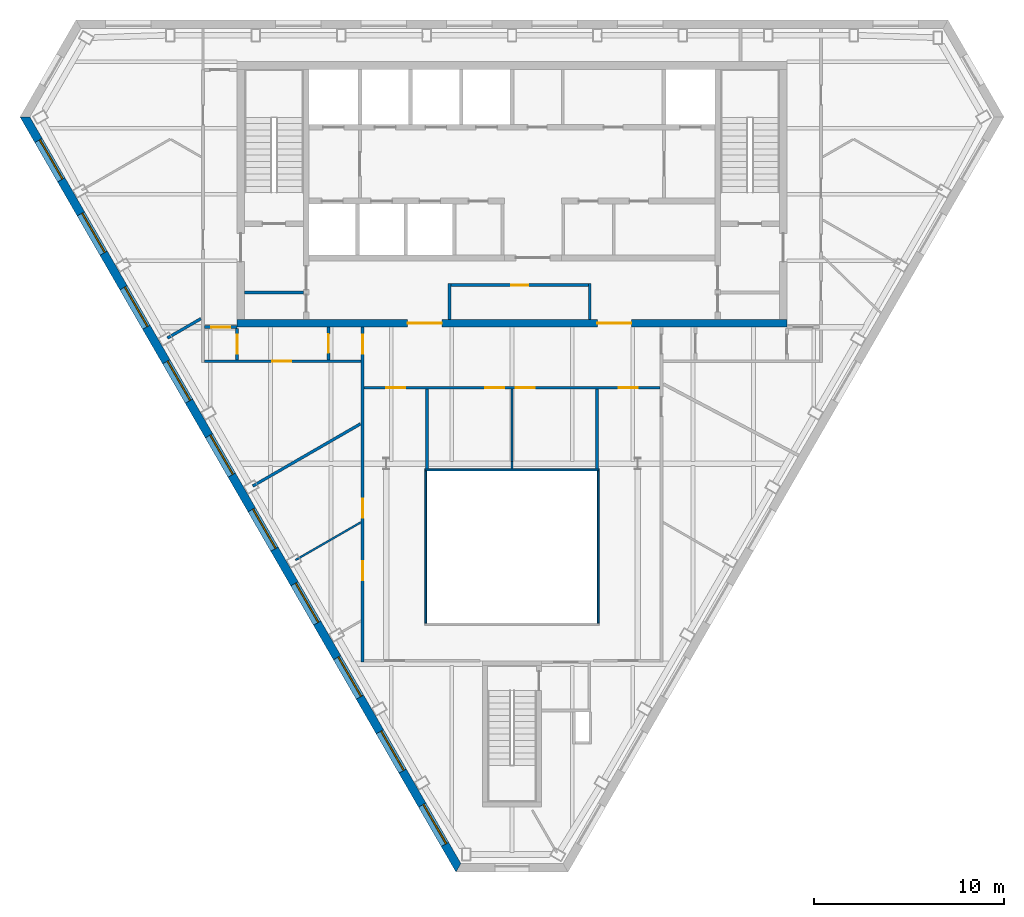
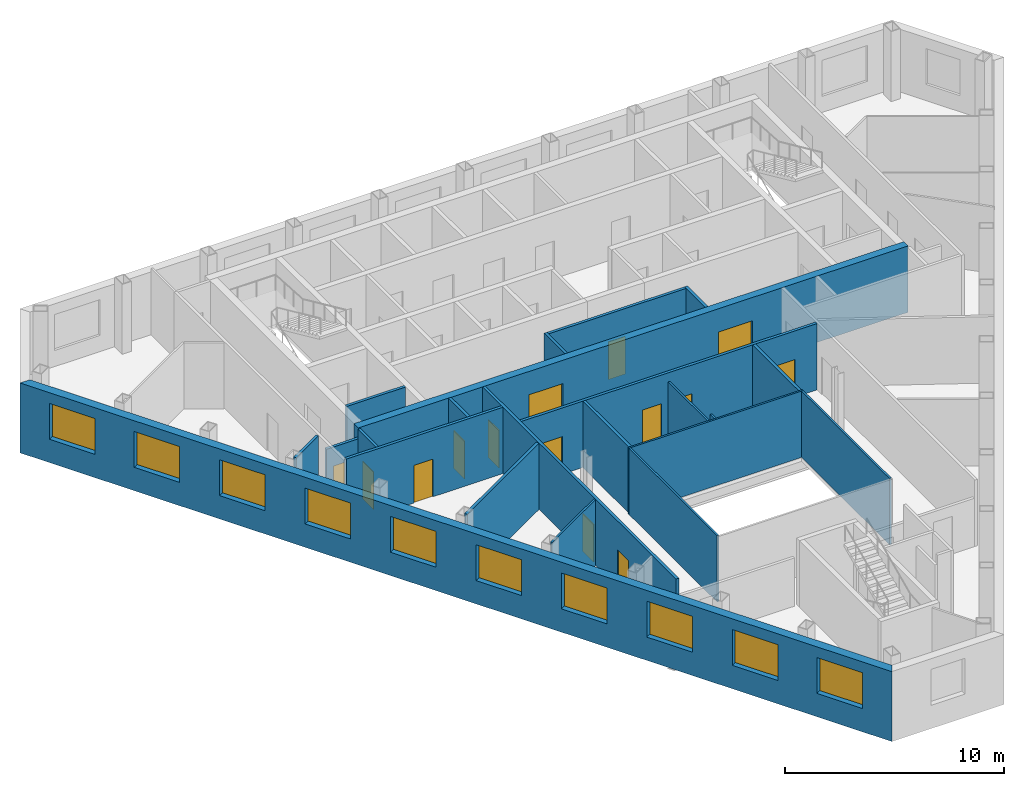
# One storey, part 4 of 10: 22 walls, 14 doors, 10 windows, 24 openings.
"""IFC4 building model written with IfcOpenShell, lengths in metres."""

from ifc_helpers import new_model, si_unit, direction, frame, frame_2d, origin, place, context, subcontext, project, spatial, polyline, rectangle, outline, extrude, material, layer, layer_set, type_object, element, fill, save


model = new_model("IFC4")

# Units and contexts
model_context = context("Model", 3, precision=1e-05, world=origin(), true_north=direction((0.0, 1.0)))
body_context = subcontext(model_context, "Body", "Model", "MODEL_VIEW")
ifc_project = project(units=[si_unit("LENGTHUNIT", "METRE"), si_unit("AREAUNIT", "SQUARE_METRE"), si_unit("VOLUMEUNIT", "CUBIC_METRE"), si_unit("PLANEANGLEUNIT", "RADIAN"), si_unit("MASSUNIT", "GRAM", prefix="KILO")], contexts=[model_context])

# Site, building, storey
site_placement = place(None, origin())
site = spatial("IfcSite", under=ifc_project, at=site_placement, CompositionType="ELEMENT")
building_placement = place(site_placement, origin())
building = spatial("IfcBuilding", under=site, at=building_placement, Name="Njiva Tower", CompositionType="ELEMENT")
storey_placement = place(building_placement, frame((0.0, 0.0, 261.0)))
storey = spatial("IfcBuildingStorey", under=building, at=storey_placement, Name="L59", CompositionType="ELEMENT", Elevation=261.0)

# Walls
ifc_material_1 = material(Name="Blockwork", Category="masonry")
ifc_layer_1 = layer(ifc_material_1, 0.15)
ifc_layer_set_1 = layer_set([ifc_layer_1], Name="Blockwork")
wall_type_1 = type_object("IfcWallType", Name="WT1 Compartment partition 150", PredefinedType="PARTITIONING", material=ifc_layer_set_1)
wall_1_placement = place(storey_placement, frame((-14.1, 5.825, 0.0), z_axis=(0.0, 0.0, 1.0), x_axis=(1.0, 0.0, 0.0)))
element("IfcWall", 1, at=wall_1_placement, inside=storey, type_object=wall_type_1, Name="Room wall A", PredefinedType="PARTITIONING", context=body_context, shape_type="SweptSolid", body=[
    extrude(rectangle(XDim=3.1, YDim=0.15, at=frame_2d((1.55, 0.0))), origin(), (0.0, 0.0, 1.0), 3.7),
])
for number, where, z_axis, x_axis, name in (
    (2, (-3.3, 4.4, 0.0), (0.0, 0.0, 1.0), (0.0, 1.0, 0.0), "Concierge office wall west"),
    (3, (4.1, 4.4, 0.0), (0.0, 0.0, 1.0), (0.0, 1.0, 0.0), "Concierge office wall east"),
):
    element("IfcWall", number, at=place(storey_placement, frame(where, z_axis=z_axis, x_axis=x_axis)), inside=storey, type_object=wall_type_1, Name=name, PredefinedType="PARTITIONING", context=body_context, shape_type="SweptSolid", body=[
        extrude(rectangle(XDim=1.895, YDim=0.15, at=frame_2d((0.9475, 0.0))), origin(), (0.0, 0.0, 1.0), 3.7),
    ])

# Wall, opening, door
wall_2_placement = place(storey_placement, frame((-3.225, 6.22, 0.0), z_axis=(0.0, 0.0, 1.0), x_axis=(1.0, 0.0, 0.0)))
wall_2 = element("IfcWall", 4, at=wall_2_placement, inside=storey, type_object=wall_type_1, Name="Concierge office wall north", PredefinedType="PARTITIONING", context=body_context, shape_type="SweptSolid", body=[
    extrude(rectangle(XDim=7.25, YDim=0.15, at=frame_2d((3.625, 0.0))), origin(), (0.0, 0.0, 1.0), 3.7),
])
opening_1_placement = place(wall_2_placement, frame((3.175, 0.0, 0.0)))
opening_1 = element("IfcOpeningElement", 5, at=opening_1_placement, cuts=wall_2, Name="Opening S19-D924", PredefinedType="OPENING", context=body_context, shape_type="SweptSolid", body=[
    extrude(rectangle(XDim=0.9, YDim=2.1, at=frame_2d((0.45, 1.05))), frame((0.0, 0.085, 0.0), z_axis=(0.0, -1.0, 0.0), x_axis=(1.0, 0.0, 0.0)), (0.0, 0.0, 1.0), 0.17),
])
ifc_material_2 = material(Name="Steel fire door, painted", Category="steel")
door_type_1 = type_object("IfcDoorType", Name="D6 Fire-rated door 900x2100", OperationType="SINGLE_SWING_LEFT", PredefinedType="DOOR", material=ifc_material_2)
door_1_placement = place(opening_1_placement, origin())
door_1 = element("IfcDoor", 6, at=door_1_placement, inside=storey, type_object=door_type_1, Name="Concierge office door", OperationType="SINGLE_SWING_LEFT", OverallHeight=2.1, OverallWidth=0.9, PredefinedType="DOOR", context=body_context, shape_type="SweptSolid", body=[
    extrude(rectangle(XDim=0.9, YDim=2.1, at=frame_2d((0.45, 1.05))), frame((0.0, 0.025, 0.0), z_axis=(0.0, -1.0, 0.0), x_axis=(1.0, 0.0, 0.0)), (0.0, 0.0, 1.0), 0.05),
])
fill(opening_1, door_1)

# Wall, openings, doors
ifc_material_3 = material(Name="Concrete C60/75", Category="concrete")
ifc_layer_2 = layer(ifc_material_3, 0.4)
ifc_layer_set_2 = layer_set([ifc_layer_2], Name="Concrete C60/75")
wall_type_2 = type_object("IfcWallType", Name="WT11 Core wall 400", PredefinedType="SHEAR", material=ifc_layer_set_2)
wall_3_placement = place(storey_placement, frame((-14.5, 4.2, 0.0), z_axis=(0.0, 0.0, 1.0), x_axis=(1.0, 0.0, 0.0)))
wall_3 = element("IfcWall", 7, at=wall_3_placement, inside=storey, type_object=wall_type_2, Name="Core wall south", PredefinedType="SHEAR", context=body_context, shape_type="SweptSolid", body=[
    extrude(rectangle(XDim=29.0, YDim=0.4, at=frame_2d((14.5, 0.0))), origin(), (0.0, 0.0, 1.0), 3.7),
])
opening_2_placement = place(wall_3_placement, frame((9.0, 0.0, 0.0)))
opening_2 = element("IfcOpeningElement", 8, at=opening_2_placement, cuts=wall_3, Name="Opening S19-D926", PredefinedType="OPENING", context=body_context, shape_type="SweptSolid", body=[
    extrude(rectangle(XDim=1.8, YDim=2.4, at=frame_2d((0.9, 1.2))), frame((0.0, 0.21, 0.0), z_axis=(0.0, -1.0, 0.0), x_axis=(1.0, 0.0, 0.0)), (0.0, 0.0, 1.0), 0.42),
])
opening_3_placement = place(wall_3_placement, frame((19.0, 0.0, 0.0)))
opening_3 = element("IfcOpeningElement", 9, at=opening_3_placement, cuts=wall_3, Name="Opening S19-D927", PredefinedType="OPENING", context=body_context, shape_type="SweptSolid", body=[
    extrude(rectangle(XDim=1.8, YDim=2.4, at=frame_2d((0.9, 1.2))), frame((0.0, 0.21, 0.0), z_axis=(0.0, -1.0, 0.0), x_axis=(1.0, 0.0, 0.0)), (0.0, 0.0, 1.0), 0.42),
])
ifc_material_4 = material(Name="Steel and glass door", Category="steel")
door_type_2 = type_object("IfcDoorType", Name="D3 Core entrance door 1800x2400", OperationType="DOUBLE_DOOR_SINGLE_SWING", PredefinedType="DOOR", material=ifc_material_4)
door_2_placement = place(opening_2_placement, origin())
door_2 = element("IfcDoor", 10, at=door_2_placement, inside=storey, type_object=door_type_2, Name="Core entrance door", OperationType="DOUBLE_DOOR_SINGLE_SWING", OverallHeight=2.4, OverallWidth=1.8, PredefinedType="DOOR", context=body_context, shape_type="SweptSolid", body=[
    extrude(rectangle(XDim=1.8, YDim=2.4, at=frame_2d((0.9, 1.2))), frame((0.0, 0.025, 0.0), z_axis=(0.0, -1.0, 0.0), x_axis=(1.0, 0.0, 0.0)), (0.0, 0.0, 1.0), 0.05),
])
fill(opening_2, door_2)
door_3_placement = place(opening_3_placement, origin())
door_3 = element("IfcDoor", 11, at=door_3_placement, inside=storey, type_object=door_type_2, Name="Core entrance door", OperationType="DOUBLE_DOOR_SINGLE_SWING", OverallHeight=2.4, OverallWidth=1.8, PredefinedType="DOOR", context=body_context, shape_type="SweptSolid", body=[
    extrude(rectangle(XDim=1.8, YDim=2.4, at=frame_2d((0.9, 1.2))), frame((0.0, 0.025, 0.0), z_axis=(0.0, -1.0, 0.0), x_axis=(1.0, 0.0, 0.0)), (0.0, 0.0, 1.0), 0.05),
])
fill(opening_3, door_3)

# Walls
ifc_material_5 = material(Name="Gypsum board on steel studs", Category="gypsum")
ifc_layer_3 = layer(ifc_material_5, 0.1)
ifc_layer_set_3 = layer_set([ifc_layer_3], Name="Gypsum board on steel studs")
wall_type_3 = type_object("IfcWallType", Name="WT20 Gypsum partition 100", PredefinedType="PARTITIONING", material=ifc_layer_set_3)
wall_4_placement = place(storey_placement, frame((-11.42, -8.285, 0.0), z_axis=(0.0, 0.0, 1.0), x_axis=(0.866143665252, 0.499795109164, 0.0)))
element("IfcWall", 12, at=wall_4_placement, inside=storey, type_object=wall_type_3, Name="Partition S19-P011", PredefinedType="PARTITIONING", context=body_context, shape_type="SweptSolid", body=[
    extrude(rectangle(XDim=3.9716, YDim=0.1, at=frame_2d((1.9858, 0.0))), origin(), (0.0, 0.0, 1.0), 3.7),
])
wall_5_placement = place(storey_placement, frame((-0.001, 0.725, 0.0), z_axis=(0.0, 0.0, 1.0), x_axis=(0.000235294111, -0.999999972318, 0.0)))
element("IfcWall", 13, at=wall_5_placement, inside=storey, type_object=wall_type_3, Name="Partition S19-P018", PredefinedType="PARTITIONING", context=body_context, shape_type="SweptSolid", body=[
    extrude(rectangle(XDim=3.825, YDim=0.1, at=frame_2d((1.9125, 0.0))), origin(), (0.0, 0.0, 1.0), 3.2),
])
wall_6_placement = place(storey_placement, frame((-0.0001, -3.1, 0.0), z_axis=(0.0, 0.0, 1.0), x_axis=(0.000263157886, -0.999999965374, 0.0)))
element("IfcWall", 14, at=wall_6_placement, inside=storey, type_object=wall_type_3, Name="Partition S19-P018A", PredefinedType="PARTITIONING", context=body_context, shape_type="SweptSolid", body=[
    extrude(rectangle(XDim=0.38, YDim=0.1, at=frame_2d((0.19, 0.0))), origin(), (0.0, 0.0, 1.0), 3.7),
])
ifc_layer_4 = layer(ifc_material_5, 0.15)
ifc_layer_set_4 = layer_set([ifc_layer_4], Name="Gypsum board on steel studs")
wall_type_4 = type_object("IfcWallType", Name="WT21 Compartment wall 150", PredefinedType="PARTITIONING", material=ifc_layer_set_4)
wall_7_placement = place(storey_placement, frame((-18.18, 3.423, 0.0), z_axis=(0.0, 0.0, 1.0), x_axis=(0.865850922242, 0.500302089196, 0.0)))
element("IfcWall", 15, at=wall_7_placement, inside=storey, type_object=wall_type_4, Name="Partition S19-P002", PredefinedType="PARTITIONING", context=body_context, shape_type="SweptSolid", body=[
    extrude(rectangle(XDim=2.0408, YDim=0.15, at=frame_2d((1.0204, 0.0))), origin(), (0.0, 0.0, 1.0), 3.7),
])

# Wall, opening, door
wall_8_placement = place(storey_placement, frame((-16.225, 2.2, 0.0), z_axis=(0.0, 0.0, 1.0), x_axis=(1.0, 0.0, 0.0)))
wall_8 = element("IfcWall", 16, at=wall_8_placement, inside=storey, type_object=wall_type_4, Name="Partition S19-P006", PredefinedType="PARTITIONING", context=body_context, shape_type="SweptSolid", body=[
    extrude(rectangle(XDim=8.27, YDim=0.15, at=frame_2d((4.135, 0.0))), origin(), (0.0, 0.0, 1.0), 3.7),
])
opening_4_placement = place(wall_8_placement, frame((3.584, 0.0, 0.0)))
opening_4 = element("IfcOpeningElement", 17, at=opening_4_placement, cuts=wall_8, Name="Opening S19-D003", PredefinedType="OPENING", context=body_context, shape_type="SweptSolid", body=[
    extrude(rectangle(XDim=1.0, YDim=2.1, at=frame_2d((0.5, 1.05))), frame((0.0, 0.085, 0.0), z_axis=(0.0, -1.0, 0.0), x_axis=(1.0, 0.0, 0.0)), (0.0, 0.0, 1.0), 0.17),
])
ifc_material_6 = material(Name="Steel fire door set", Category="steel")
door_type_3 = type_object("IfcDoorType", Name="D37 Fire door 1000x2100", OperationType="SINGLE_SWING_LEFT", PredefinedType="DOOR", material=ifc_material_6)
door_4_placement = place(opening_4_placement, origin())
door_4 = element("IfcDoor", 18, at=door_4_placement, inside=storey, type_object=door_type_3, Name="Door S19-D003", OperationType="SINGLE_SWING_LEFT", OverallHeight=2.1, OverallWidth=1.0, PredefinedType="DOOR", context=body_context, shape_type="SweptSolid", body=[
    extrude(rectangle(XDim=1.0, YDim=2.1, at=frame_2d((0.5, 1.05))), frame((0.0, 0.025, 0.0), z_axis=(0.0, -1.0, 0.0), x_axis=(1.0, 0.0, 0.0)), (0.0, 0.0, 1.0), 0.05),
])
fill(opening_4, door_4)

wall_9_placement = place(storey_placement, frame((-16.225, 4.0, 0.0), z_axis=(0.0, 0.0, 1.0), x_axis=(1.0, 0.0, 0.0)))
wall_9 = element("IfcWall", 19, at=wall_9_placement, inside=storey, type_object=wall_type_4, Name="Partition S19-P007", PredefinedType="PARTITIONING", context=body_context, shape_type="SweptSolid", body=[
    extrude(rectangle(XDim=1.725, YDim=0.15, at=frame_2d((0.8625, 0.0))), origin(), (0.0, 0.0, 1.0), 3.16),
])
opening_5_placement = place(wall_9_placement, frame((0.363, 0.0, 0.0)))
opening_5 = element("IfcOpeningElement", 20, at=opening_5_placement, cuts=wall_9, Name="Opening S19-D004", PredefinedType="OPENING", context=body_context, shape_type="SweptSolid", body=[
    extrude(rectangle(XDim=1.0, YDim=2.1, at=frame_2d((0.5, 1.05))), frame((0.0, 0.085, 0.0), z_axis=(0.0, -1.0, 0.0), x_axis=(1.0, 0.0, 0.0)), (0.0, 0.0, 1.0), 0.17),
])
door_5_placement = place(opening_5_placement, origin())
door_5 = element("IfcDoor", 21, at=door_5_placement, inside=storey, type_object=door_type_3, Name="Door S19-D004", OperationType="SINGLE_SWING_LEFT", OverallHeight=2.1, OverallWidth=1.0, PredefinedType="DOOR", context=body_context, shape_type="SweptSolid", body=[
    extrude(rectangle(XDim=1.0, YDim=2.1, at=frame_2d((0.5, 1.05))), frame((0.0, 0.025, 0.0), z_axis=(0.0, -1.0, 0.0), x_axis=(1.0, 0.0, 0.0)), (0.0, 0.0, 1.0), 0.05),
])
fill(opening_5, door_5)

wall_10_placement = place(storey_placement, frame((-14.5, 2.275, 0.0), z_axis=(0.0, 0.0, 1.0), x_axis=(0.0, 1.0, 0.0)))
wall_10 = element("IfcWall", 22, at=wall_10_placement, inside=storey, type_object=wall_type_4, Name="Partition S19-P009", PredefinedType="PARTITIONING", context=body_context, shape_type="SweptSolid", body=[
    extrude(rectangle(XDim=1.65, YDim=0.15, at=frame_2d((0.825, 0.0))), origin(), (0.0, 0.0, 1.0), 3.7),
])
opening_6_placement = place(wall_10_placement, frame((0.325, 0.0, 0.0)))
opening_6 = element("IfcOpeningElement", 23, at=opening_6_placement, cuts=wall_10, Name="Opening S19-D006", PredefinedType="OPENING", context=body_context, shape_type="SweptSolid", body=[
    extrude(rectangle(XDim=1.0, YDim=2.1, at=frame_2d((0.5, 1.05))), frame((0.0, 0.085, 0.0), z_axis=(0.0, -1.0, 0.0), x_axis=(1.0, 0.0, 0.0)), (0.0, 0.0, 1.0), 0.17),
])
door_6_placement = place(opening_6_placement, origin())
door_6 = element("IfcDoor", 24, at=door_6_placement, inside=storey, type_object=door_type_3, Name="Door S19-D006", OperationType="SINGLE_SWING_RIGHT", OverallHeight=2.1, OverallWidth=1.0, PredefinedType="DOOR", context=body_context, shape_type="SweptSolid", body=[
    extrude(rectangle(XDim=1.0, YDim=2.1, at=frame_2d((0.5, 1.05))), frame((0.0, 0.025, 0.0), z_axis=(0.0, -1.0, 0.0), x_axis=(1.0, 0.0, 0.0)), (0.0, 0.0, 1.0), 0.05),
])
fill(opening_6, door_6)

# Wall
wall_11_placement = place(storey_placement, frame((-13.673, -4.382, 0.0), z_axis=(0.0, 0.0, 1.0), x_axis=(0.866086584464, 0.499894016979, 0.0)))
element("IfcWall", 25, at=wall_11_placement, inside=storey, type_object=wall_type_4, Name="Partition S19-P010", PredefinedType="PARTITIONING", context=body_context, shape_type="SweptSolid", body=[
    extrude(rectangle(XDim=6.5594, YDim=0.15, at=frame_2d((3.2797, 0.0))), origin(), (0.0, 0.0, 1.0), 3.7),
])

# Wall, opening, door
wall_12_placement = place(storey_placement, frame((-9.68, 2.275, 0.0), z_axis=(0.0, 0.0, 1.0), x_axis=(0.0, 1.0, 0.0)))
wall_12 = element("IfcWall", 26, at=wall_12_placement, inside=storey, type_object=wall_type_4, Name="Partition S19-P012", PredefinedType="PARTITIONING", context=body_context, shape_type="SweptSolid", body=[
    extrude(rectangle(XDim=1.725, YDim=0.15, at=frame_2d((0.8625, 0.0))), origin(), (0.0, 0.0, 1.0), 3.7),
])
opening_7_placement = place(wall_12_placement, frame((0.362, 0.0, 0.0)))
opening_7 = element("IfcOpeningElement", 27, at=opening_7_placement, cuts=wall_12, Name="Opening S19-D007", PredefinedType="OPENING", context=body_context, shape_type="SweptSolid", body=[
    extrude(rectangle(XDim=1.0, YDim=2.1, at=frame_2d((0.5, 1.05))), frame((0.0, 0.085, 0.0), z_axis=(0.0, -1.0, 0.0), x_axis=(1.0, 0.0, 0.0)), (0.0, 0.0, 1.0), 0.17),
])
door_7_placement = place(opening_7_placement, origin())
door_7 = element("IfcDoor", 28, at=door_7_placement, inside=storey, type_object=door_type_3, Name="Door S19-D007", OperationType="SINGLE_SWING_RIGHT", OverallHeight=2.1, OverallWidth=1.0, PredefinedType="DOOR", context=body_context, shape_type="SweptSolid", body=[
    extrude(rectangle(XDim=1.0, YDim=2.1, at=frame_2d((0.5, 1.05))), frame((0.0, 0.025, 0.0), z_axis=(0.0, -1.0, 0.0), x_axis=(1.0, 0.0, 0.0)), (0.0, 0.0, 1.0), 0.05),
])
fill(opening_7, door_7)

# Wall, openings, doors
wall_13_placement = place(storey_placement, frame((-7.88, -13.675, 0.0), z_axis=(0.0, 0.0, 1.0), x_axis=(0.0, 1.0, 0.0)))
wall_13 = element("IfcWall", 29, at=wall_13_placement, inside=storey, type_object=wall_type_4, Name="Partition S19-P014", PredefinedType="PARTITIONING", context=body_context, shape_type="SweptSolid", body=[
    extrude(rectangle(XDim=17.675, YDim=0.15, at=frame_2d((8.8375, 0.0))), origin(), (0.0, 0.0, 1.0), 3.7),
])
opening_8_placement = place(wall_13_placement, frame((4.331, 0.0, 0.0)))
opening_8 = element("IfcOpeningElement", 30, at=opening_8_placement, cuts=wall_13, Name="Opening S19-D008", PredefinedType="OPENING", context=body_context, shape_type="SweptSolid", body=[
    extrude(rectangle(XDim=1.0, YDim=2.1, at=frame_2d((0.5, 1.05))), frame((0.0, 0.085, 0.0), z_axis=(0.0, -1.0, 0.0), x_axis=(1.0, 0.0, 0.0)), (0.0, 0.0, 1.0), 0.17),
])
opening_9_placement = place(wall_13_placement, frame((7.633, 0.0, 0.0)))
opening_9 = element("IfcOpeningElement", 31, at=opening_9_placement, cuts=wall_13, Name="Opening S19-D009", PredefinedType="OPENING", context=body_context, shape_type="SweptSolid", body=[
    extrude(rectangle(XDim=1.0, YDim=2.1, at=frame_2d((0.5, 1.05))), frame((0.0, 0.085, 0.0), z_axis=(0.0, -1.0, 0.0), x_axis=(1.0, 0.0, 0.0)), (0.0, 0.0, 1.0), 0.17),
])
opening_10_placement = place(wall_13_placement, frame((16.275, 0.0, 0.0)))
opening_10 = element("IfcOpeningElement", 32, at=opening_10_placement, cuts=wall_13, Name="Opening S19-D010", PredefinedType="OPENING", context=body_context, shape_type="SweptSolid", body=[
    extrude(rectangle(XDim=1.0, YDim=2.1, at=frame_2d((0.5, 1.05))), frame((0.0, 0.085, 0.0), z_axis=(0.0, -1.0, 0.0), x_axis=(1.0, 0.0, 0.0)), (0.0, 0.0, 1.0), 0.17),
])
door_8_placement = place(opening_8_placement, origin())
door_8 = element("IfcDoor", 33, at=door_8_placement, inside=storey, type_object=door_type_3, Name="Door S19-D008", OperationType="SINGLE_SWING_RIGHT", OverallHeight=2.1, OverallWidth=1.0, PredefinedType="DOOR", context=body_context, shape_type="SweptSolid", body=[
    extrude(rectangle(XDim=1.0, YDim=2.1, at=frame_2d((0.5, 1.05))), frame((0.0, 0.025, 0.0), z_axis=(0.0, -1.0, 0.0), x_axis=(1.0, 0.0, 0.0)), (0.0, 0.0, 1.0), 0.05),
])
fill(opening_8, door_8)
door_9_placement = place(opening_9_placement, origin())
door_9 = element("IfcDoor", 34, at=door_9_placement, inside=storey, type_object=door_type_3, Name="Door S19-D009", OperationType="SINGLE_SWING_RIGHT", OverallHeight=2.1, OverallWidth=1.0, PredefinedType="DOOR", context=body_context, shape_type="SweptSolid", body=[
    extrude(rectangle(XDim=1.0, YDim=2.1, at=frame_2d((0.5, 1.05))), frame((0.0, 0.025, 0.0), z_axis=(0.0, -1.0, 0.0), x_axis=(1.0, 0.0, 0.0)), (0.0, 0.0, 1.0), 0.05),
])
fill(opening_9, door_9)
door_10_placement = place(opening_10_placement, origin())
door_10 = element("IfcDoor", 35, at=door_10_placement, inside=storey, type_object=door_type_3, Name="Door S19-D010", OperationType="SINGLE_SWING_LEFT", OverallHeight=2.1, OverallWidth=1.0, PredefinedType="DOOR", context=body_context, shape_type="SweptSolid", body=[
    extrude(rectangle(XDim=1.0, YDim=2.1, at=frame_2d((0.5, 1.05))), frame((0.0, 0.025, 0.0), z_axis=(0.0, -1.0, 0.0), x_axis=(1.0, 0.0, 0.0)), (0.0, 0.0, 1.0), 0.05),
])
fill(opening_10, door_10)

wall_14_placement = place(storey_placement, frame((-7.805, 0.8, 0.0), z_axis=(0.0, 0.0, 1.0), x_axis=(1.0, 0.0, 0.0)))
wall_14 = element("IfcWall", 36, at=wall_14_placement, inside=storey, type_object=wall_type_4, Name="Partition S19-P016", PredefinedType="PARTITIONING", context=body_context, shape_type="SweptSolid", body=[
    extrude(rectangle(XDim=15.61, YDim=0.15, at=frame_2d((7.805, 0.0))), origin(), (0.0, 0.0, 1.0), 3.7),
])
opening_11_placement = place(wall_14_placement, frame((1.168, 0.0, 0.0)))
opening_11 = element("IfcOpeningElement", 37, at=opening_11_placement, cuts=wall_14, Name="Opening S19-D012", PredefinedType="OPENING", context=body_context, shape_type="SweptSolid", body=[
    extrude(rectangle(XDim=1.0, YDim=2.1, at=frame_2d((0.5, 1.05))), frame((0.0, 0.085, 0.0), z_axis=(0.0, -1.0, 0.0), x_axis=(1.0, 0.0, 0.0)), (0.0, 0.0, 1.0), 0.17),
])
opening_12_placement = place(wall_14_placement, frame((6.399, 0.0, 0.0)))
opening_12 = element("IfcOpeningElement", 38, at=opening_12_placement, cuts=wall_14, Name="Opening S19-D013", PredefinedType="OPENING", context=body_context, shape_type="SweptSolid", body=[
    extrude(rectangle(XDim=1.0, YDim=2.1, at=frame_2d((0.5, 1.05))), frame((0.0, 0.085, 0.0), z_axis=(0.0, -1.0, 0.0), x_axis=(1.0, 0.0, 0.0)), (0.0, 0.0, 1.0), 0.17),
])
opening_13_placement = place(wall_14_placement, frame((8.006, 0.0, 0.0)))
opening_13 = element("IfcOpeningElement", 39, at=opening_13_placement, cuts=wall_14, Name="Opening S19-D014", PredefinedType="OPENING", context=body_context, shape_type="SweptSolid", body=[
    extrude(rectangle(XDim=1.0, YDim=2.1, at=frame_2d((0.5, 1.05))), frame((0.0, 0.085, 0.0), z_axis=(0.0, -1.0, 0.0), x_axis=(1.0, 0.0, 0.0)), (0.0, 0.0, 1.0), 0.17),
])
opening_14_placement = place(wall_14_placement, frame((13.441, 0.0, 0.0)))
opening_14 = element("IfcOpeningElement", 40, at=opening_14_placement, cuts=wall_14, Name="Opening S19-D015", PredefinedType="OPENING", context=body_context, shape_type="SweptSolid", body=[
    extrude(rectangle(XDim=1.0, YDim=2.1, at=frame_2d((0.5, 1.05))), frame((0.0, 0.085, 0.0), z_axis=(0.0, -1.0, 0.0), x_axis=(1.0, 0.0, 0.0)), (0.0, 0.0, 1.0), 0.17),
])
door_11_placement = place(opening_11_placement, origin())
door_11 = element("IfcDoor", 41, at=door_11_placement, inside=storey, type_object=door_type_3, Name="Door S19-D012", OperationType="SINGLE_SWING_RIGHT", OverallHeight=2.1, OverallWidth=1.0, PredefinedType="DOOR", context=body_context, shape_type="SweptSolid", body=[
    extrude(rectangle(XDim=1.0, YDim=2.1, at=frame_2d((0.5, 1.05))), frame((0.0, 0.025, 0.0), z_axis=(0.0, -1.0, 0.0), x_axis=(1.0, 0.0, 0.0)), (0.0, 0.0, 1.0), 0.05),
])
fill(opening_11, door_11)
door_12_placement = place(opening_12_placement, origin())
door_12 = element("IfcDoor", 42, at=door_12_placement, inside=storey, type_object=door_type_3, Name="Door S19-D013", OperationType="SINGLE_SWING_LEFT", OverallHeight=2.1, OverallWidth=1.0, PredefinedType="DOOR", context=body_context, shape_type="SweptSolid", body=[
    extrude(rectangle(XDim=1.0, YDim=2.1, at=frame_2d((0.5, 1.05))), frame((0.0, 0.025, 0.0), z_axis=(0.0, -1.0, 0.0), x_axis=(1.0, 0.0, 0.0)), (0.0, 0.0, 1.0), 0.05),
])
fill(opening_12, door_12)
door_13_placement = place(opening_13_placement, origin())
door_13 = element("IfcDoor", 43, at=door_13_placement, inside=storey, type_object=door_type_3, Name="Door S19-D014", OperationType="SINGLE_SWING_RIGHT", OverallHeight=2.1, OverallWidth=1.0, PredefinedType="DOOR", context=body_context, shape_type="SweptSolid", body=[
    extrude(rectangle(XDim=1.0, YDim=2.1, at=frame_2d((0.5, 1.05))), frame((0.0, 0.025, 0.0), z_axis=(0.0, -1.0, 0.0), x_axis=(1.0, 0.0, 0.0)), (0.0, 0.0, 1.0), 0.05),
])
fill(opening_13, door_13)
door_14_placement = place(opening_14_placement, origin())
door_14 = element("IfcDoor", 44, at=door_14_placement, inside=storey, type_object=door_type_3, Name="Door S19-D015", OperationType="SINGLE_SWING_LEFT", OverallHeight=2.1, OverallWidth=1.0, PredefinedType="DOOR", context=body_context, shape_type="SweptSolid", body=[
    extrude(rectangle(XDim=1.0, YDim=2.1, at=frame_2d((0.5, 1.05))), frame((0.0, 0.025, 0.0), z_axis=(0.0, -1.0, 0.0), x_axis=(1.0, 0.0, 0.0)), (0.0, 0.0, 1.0), 0.05),
])
fill(opening_14, door_14)

# Walls
for number, where, z_axis, x_axis, name in (
    (45, (-4.48, -3.48, 0.0), (0.0, 0.0, 1.0), (0.0, 1.0, 0.0), "Partition S19-P017"),
    (46, (4.479, -3.48, 0.0), (0.0, 0.0, 1.0), (0.000237812122, 0.999999971723, 0.0), "Partition S19-P021"),
):
    element("IfcWall", number, at=place(storey_placement, frame(where, z_axis=z_axis, x_axis=x_axis)), inside=storey, type_object=wall_type_4, Name=name, PredefinedType="PARTITIONING", context=body_context, shape_type="SweptSolid", body=[
        extrude(rectangle(XDim=4.205, YDim=0.15, at=frame_2d((2.1025, 0.0))), origin(), (0.0, 0.0, 1.0), 3.7),
    ])

# Wall, openings, windows
ifc_material_7 = material(Name="Brick masonry", Category="masonry")
ifc_layer_5 = layer(ifc_material_7, 0.45)
ifc_layer_set_5 = layer_set([ifc_layer_5], Name="Brick masonry")
wall_type_5 = type_object("IfcWallType", Name="WT90 Brick pier and spandrel wall 450", PredefinedType="SOLIDWALL", material=ifc_layer_set_5)
wall_15_placement = place(storey_placement, frame((-25.6902, 15.0818, -0.4), z_axis=(0.0, 0.0, 1.0), x_axis=(0.500000141277, -0.866025322218, 0.0)))
wall_15 = element("IfcWall", 47, at=wall_15_placement, inside=storey, type_object=wall_type_5, Name="Facade wall SW", PredefinedType="SOLIDWALL", context=body_context, shape_type="SweptSolid", body=[
    extrude(outline(polyline([(-0.1299, -0.225), (45.8601, -0.225), (45.6003, 0.225), (0.1299, 0.225), (-0.1299, -0.225)])), origin(), (0.0, 0.0, 1.0), 3.9),
])
opening_15_placement = place(wall_15_placement, frame((1.4237, 0.0, 1.3)))
opening_15 = element("IfcOpeningElement", 48, at=opening_15_placement, cuts=wall_15, Name="Opening S19-W09", PredefinedType="OPENING", context=body_context, shape_type="SweptSolid", body=[
    extrude(rectangle(XDim=2.4, YDim=2.0, at=frame_2d((1.2, 1.0))), frame((0.0, 0.235, 0.0), z_axis=(0.0, -1.0, 0.0), x_axis=(1.0, 0.0, 0.0)), (0.0, 0.0, 1.0), 0.47),
])
opening_16_placement = place(wall_15_placement, frame((5.8919, 0.0, 1.3)))
opening_16 = element("IfcOpeningElement", 49, at=opening_16_placement, cuts=wall_15, Name="Opening S19-W10", PredefinedType="OPENING", context=body_context, shape_type="SweptSolid", body=[
    extrude(rectangle(XDim=2.4, YDim=2.0, at=frame_2d((1.2, 1.0))), frame((0.0, 0.235, 0.0), z_axis=(0.0, -1.0, 0.0), x_axis=(1.0, 0.0, 0.0)), (0.0, 0.0, 1.0), 0.47),
])
opening_17_placement = place(wall_15_placement, frame((10.3985, 0.0, 1.3)))
opening_17 = element("IfcOpeningElement", 50, at=opening_17_placement, cuts=wall_15, Name="Opening S19-W11", PredefinedType="OPENING", context=body_context, shape_type="SweptSolid", body=[
    extrude(rectangle(XDim=2.4, YDim=2.0, at=frame_2d((1.2, 1.0))), frame((0.0, 0.235, 0.0), z_axis=(0.0, -1.0, 0.0), x_axis=(1.0, 0.0, 0.0)), (0.0, 0.0, 1.0), 0.47),
])
opening_18_placement = place(wall_15_placement, frame((14.9052, 0.0, 1.3)))
opening_18 = element("IfcOpeningElement", 51, at=opening_18_placement, cuts=wall_15, Name="Opening S19-W12", PredefinedType="OPENING", context=body_context, shape_type="SweptSolid", body=[
    extrude(rectangle(XDim=2.4, YDim=2.0, at=frame_2d((1.2, 1.0))), frame((0.0, 0.235, 0.0), z_axis=(0.0, -1.0, 0.0), x_axis=(1.0, 0.0, 0.0)), (0.0, 0.0, 1.0), 0.47),
])
opening_19_placement = place(wall_15_placement, frame((19.4118, 0.0, 1.3)))
opening_19 = element("IfcOpeningElement", 52, at=opening_19_placement, cuts=wall_15, Name="Opening S19-W13", PredefinedType="OPENING", context=body_context, shape_type="SweptSolid", body=[
    extrude(rectangle(XDim=2.4, YDim=2.0, at=frame_2d((1.2, 1.0))), frame((0.0, 0.235, 0.0), z_axis=(0.0, -1.0, 0.0), x_axis=(1.0, 0.0, 0.0)), (0.0, 0.0, 1.0), 0.47),
])
opening_20_placement = place(wall_15_placement, frame((23.9184, 0.0, 1.3)))
opening_20 = element("IfcOpeningElement", 53, at=opening_20_placement, cuts=wall_15, Name="Opening S19-W14", PredefinedType="OPENING", context=body_context, shape_type="SweptSolid", body=[
    extrude(rectangle(XDim=2.4, YDim=2.0, at=frame_2d((1.2, 1.0))), frame((0.0, 0.235, 0.0), z_axis=(0.0, -1.0, 0.0), x_axis=(1.0, 0.0, 0.0)), (0.0, 0.0, 1.0), 0.47),
])
opening_21_placement = place(wall_15_placement, frame((28.425, 0.0, 1.3)))
opening_21 = element("IfcOpeningElement", 54, at=opening_21_placement, cuts=wall_15, Name="Opening S19-W15", PredefinedType="OPENING", context=body_context, shape_type="SweptSolid", body=[
    extrude(rectangle(XDim=2.4, YDim=2.0, at=frame_2d((1.2, 1.0))), frame((0.0, 0.235, 0.0), z_axis=(0.0, -1.0, 0.0), x_axis=(1.0, 0.0, 0.0)), (0.0, 0.0, 1.0), 0.47),
])
opening_22_placement = place(wall_15_placement, frame((32.9316, 0.0, 1.3)))
opening_22 = element("IfcOpeningElement", 55, at=opening_22_placement, cuts=wall_15, Name="Opening S19-W16", PredefinedType="OPENING", context=body_context, shape_type="SweptSolid", body=[
    extrude(rectangle(XDim=2.4, YDim=2.0, at=frame_2d((1.2, 1.0))), frame((0.0, 0.235, 0.0), z_axis=(0.0, -1.0, 0.0), x_axis=(1.0, 0.0, 0.0)), (0.0, 0.0, 1.0), 0.47),
])
opening_23_placement = place(wall_15_placement, frame((37.4383, 0.0, 1.3)))
opening_23 = element("IfcOpeningElement", 56, at=opening_23_placement, cuts=wall_15, Name="Opening S19-W17", PredefinedType="OPENING", context=body_context, shape_type="SweptSolid", body=[
    extrude(rectangle(XDim=2.4, YDim=2.0, at=frame_2d((1.2, 1.0))), frame((0.0, 0.235, 0.0), z_axis=(0.0, -1.0, 0.0), x_axis=(1.0, 0.0, 0.0)), (0.0, 0.0, 1.0), 0.47),
])
opening_24_placement = place(wall_15_placement, frame((41.9065, 0.0, 1.3)))
opening_24 = element("IfcOpeningElement", 57, at=opening_24_placement, cuts=wall_15, Name="Opening S19-W18", PredefinedType="OPENING", context=body_context, shape_type="SweptSolid", body=[
    extrude(rectangle(XDim=2.4, YDim=2.0, at=frame_2d((1.2, 1.0))), frame((0.0, 0.235, 0.0), z_axis=(0.0, -1.0, 0.0), x_axis=(1.0, 0.0, 0.0)), (0.0, 0.0, 1.0), 0.47),
])
ifc_material_8 = material(Name="Clear glazing in aluminium frame", Category="aluminium")
window_type = type_object("IfcWindowType", Name="W90 Deep-set window 2400x2000", PartitioningType="SINGLE_PANEL", PredefinedType="WINDOW", material=ifc_material_8)
window_1_placement = place(opening_15_placement, origin())
window_1 = element("IfcWindow", 58, at=window_1_placement, inside=storey, type_object=window_type, Name="Window", OverallHeight=2.0, OverallWidth=2.4, PartitioningType="SINGLE_PANEL", PredefinedType="WINDOW", context=body_context, shape_type="SweptSolid", body=[
    extrude(rectangle(XDim=2.4, YDim=2.0, at=frame_2d((1.2, 1.0))), frame((0.0, 0.105, 0.0), z_axis=(0.0, -1.0, 0.0), x_axis=(1.0, 0.0, 0.0)), (0.0, 0.0, 1.0), 0.06),
])
fill(opening_15, window_1)
window_2_placement = place(opening_16_placement, origin())
window_2 = element("IfcWindow", 59, at=window_2_placement, inside=storey, type_object=window_type, Name="Window", OverallHeight=2.0, OverallWidth=2.4, PartitioningType="SINGLE_PANEL", PredefinedType="WINDOW", context=body_context, shape_type="SweptSolid", body=[
    extrude(rectangle(XDim=2.4, YDim=2.0, at=frame_2d((1.2, 1.0))), frame((0.0, 0.105, 0.0), z_axis=(0.0, -1.0, 0.0), x_axis=(1.0, 0.0, 0.0)), (0.0, 0.0, 1.0), 0.06),
])
fill(opening_16, window_2)
window_3_placement = place(opening_17_placement, origin())
window_3 = element("IfcWindow", 60, at=window_3_placement, inside=storey, type_object=window_type, Name="Window", OverallHeight=2.0, OverallWidth=2.4, PartitioningType="SINGLE_PANEL", PredefinedType="WINDOW", context=body_context, shape_type="SweptSolid", body=[
    extrude(rectangle(XDim=2.4, YDim=2.0, at=frame_2d((1.2, 1.0))), frame((0.0, 0.105, 0.0), z_axis=(0.0, -1.0, 0.0), x_axis=(1.0, 0.0, 0.0)), (0.0, 0.0, 1.0), 0.06),
])
fill(opening_17, window_3)
window_4_placement = place(opening_18_placement, origin())
window_4 = element("IfcWindow", 61, at=window_4_placement, inside=storey, type_object=window_type, Name="Window", OverallHeight=2.0, OverallWidth=2.4, PartitioningType="SINGLE_PANEL", PredefinedType="WINDOW", context=body_context, shape_type="SweptSolid", body=[
    extrude(rectangle(XDim=2.4, YDim=2.0, at=frame_2d((1.2, 1.0))), frame((0.0, 0.105, 0.0), z_axis=(0.0, -1.0, 0.0), x_axis=(1.0, 0.0, 0.0)), (0.0, 0.0, 1.0), 0.06),
])
fill(opening_18, window_4)
window_5_placement = place(opening_19_placement, origin())
window_5 = element("IfcWindow", 62, at=window_5_placement, inside=storey, type_object=window_type, Name="Window", OverallHeight=2.0, OverallWidth=2.4, PartitioningType="SINGLE_PANEL", PredefinedType="WINDOW", context=body_context, shape_type="SweptSolid", body=[
    extrude(rectangle(XDim=2.4, YDim=2.0, at=frame_2d((1.2, 1.0))), frame((0.0, 0.105, 0.0), z_axis=(0.0, -1.0, 0.0), x_axis=(1.0, 0.0, 0.0)), (0.0, 0.0, 1.0), 0.06),
])
fill(opening_19, window_5)
window_6_placement = place(opening_20_placement, origin())
window_6 = element("IfcWindow", 63, at=window_6_placement, inside=storey, type_object=window_type, Name="Window", OverallHeight=2.0, OverallWidth=2.4, PartitioningType="SINGLE_PANEL", PredefinedType="WINDOW", context=body_context, shape_type="SweptSolid", body=[
    extrude(rectangle(XDim=2.4, YDim=2.0, at=frame_2d((1.2, 1.0))), frame((0.0, 0.105, 0.0), z_axis=(0.0, -1.0, 0.0), x_axis=(1.0, 0.0, 0.0)), (0.0, 0.0, 1.0), 0.06),
])
fill(opening_20, window_6)
window_7_placement = place(opening_21_placement, origin())
window_7 = element("IfcWindow", 64, at=window_7_placement, inside=storey, type_object=window_type, Name="Window", OverallHeight=2.0, OverallWidth=2.4, PartitioningType="SINGLE_PANEL", PredefinedType="WINDOW", context=body_context, shape_type="SweptSolid", body=[
    extrude(rectangle(XDim=2.4, YDim=2.0, at=frame_2d((1.2, 1.0))), frame((0.0, 0.105, 0.0), z_axis=(0.0, -1.0, 0.0), x_axis=(1.0, 0.0, 0.0)), (0.0, 0.0, 1.0), 0.06),
])
fill(opening_21, window_7)
window_8_placement = place(opening_22_placement, origin())
window_8 = element("IfcWindow", 65, at=window_8_placement, inside=storey, type_object=window_type, Name="Window", OverallHeight=2.0, OverallWidth=2.4, PartitioningType="SINGLE_PANEL", PredefinedType="WINDOW", context=body_context, shape_type="SweptSolid", body=[
    extrude(rectangle(XDim=2.4, YDim=2.0, at=frame_2d((1.2, 1.0))), frame((0.0, 0.105, 0.0), z_axis=(0.0, -1.0, 0.0), x_axis=(1.0, 0.0, 0.0)), (0.0, 0.0, 1.0), 0.06),
])
fill(opening_22, window_8)
window_9_placement = place(opening_23_placement, origin())
window_9 = element("IfcWindow", 66, at=window_9_placement, inside=storey, type_object=window_type, Name="Window", OverallHeight=2.0, OverallWidth=2.4, PartitioningType="SINGLE_PANEL", PredefinedType="WINDOW", context=body_context, shape_type="SweptSolid", body=[
    extrude(rectangle(XDim=2.4, YDim=2.0, at=frame_2d((1.2, 1.0))), frame((0.0, 0.105, 0.0), z_axis=(0.0, -1.0, 0.0), x_axis=(1.0, 0.0, 0.0)), (0.0, 0.0, 1.0), 0.06),
])
fill(opening_23, window_9)
window_10_placement = place(opening_24_placement, origin())
window_10 = element("IfcWindow", 67, at=window_10_placement, inside=storey, type_object=window_type, Name="Window", OverallHeight=2.0, OverallWidth=2.4, PartitioningType="SINGLE_PANEL", PredefinedType="WINDOW", context=body_context, shape_type="SweptSolid", body=[
    extrude(rectangle(XDim=2.4, YDim=2.0, at=frame_2d((1.2, 1.0))), frame((0.0, 0.105, 0.0), z_axis=(0.0, -1.0, 0.0), x_axis=(1.0, 0.0, 0.0)), (0.0, 0.0, 1.0), 0.06),
])
fill(opening_24, window_10)

# Walls
ifc_material_9 = material(Name="Fire-resisting glazing EI 90", Category="glass")
ifc_layer_6 = layer(ifc_material_9, 0.1)
ifc_layer_set_6 = layer_set([ifc_layer_6], Name="Fire-resisting glazing EI 90")
wall_type_6 = type_object("IfcWallType", Name="WT95 Fire-resisting glazed screen EI 90", PredefinedType="PARTITIONING", material=ifc_layer_set_6)
wall_16_placement = place(storey_placement, frame((4.55, -11.62, 0.0), z_axis=(0.0, 0.0, 1.0), x_axis=(0.0, 1.0, 0.0)))
element("IfcWall", 68, at=wall_16_placement, inside=storey, type_object=wall_type_6, Name="Atrium fire screen east", PredefinedType="PARTITIONING", context=body_context, shape_type="SweptSolid", body=[
    extrude(rectangle(XDim=8.04, YDim=0.1, at=frame_2d((4.02, 0.0))), origin(), (0.0, 0.0, 1.0), 3.7),
])
wall_17_placement = place(storey_placement, frame((4.6, -3.53, 0.0), z_axis=(0.0, 0.0, 1.0), x_axis=(-1.0, 0.0, 0.0)))
element("IfcWall", 69, at=wall_17_placement, inside=storey, type_object=wall_type_6, Name="Atrium fire screen north", PredefinedType="PARTITIONING", context=body_context, shape_type="SweptSolid", body=[
    extrude(rectangle(XDim=9.2, YDim=0.1, at=frame_2d((4.6, 0.0))), origin(), (0.0, 0.0, 1.0), 3.7),
])
wall_18_placement = place(storey_placement, frame((-4.55, -3.58, 0.0), z_axis=(0.0, 0.0, 1.0), x_axis=(0.0, -1.0, 0.0)))
element("IfcWall", 70, at=wall_18_placement, inside=storey, type_object=wall_type_6, Name="Atrium fire screen west", PredefinedType="PARTITIONING", context=body_context, shape_type="SweptSolid", body=[
    extrude(rectangle(XDim=8.04, YDim=0.1, at=frame_2d((4.02, 0.0))), origin(), (0.0, 0.0, 1.0), 3.7),
])

save(model, "model.ifc")
